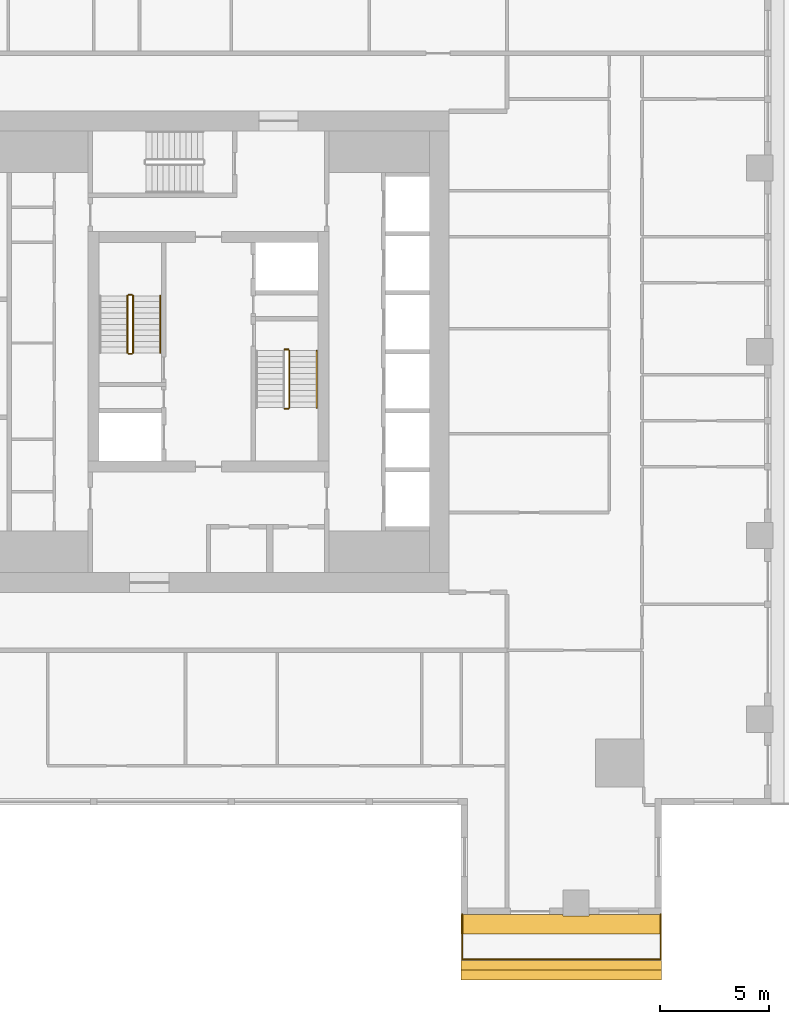
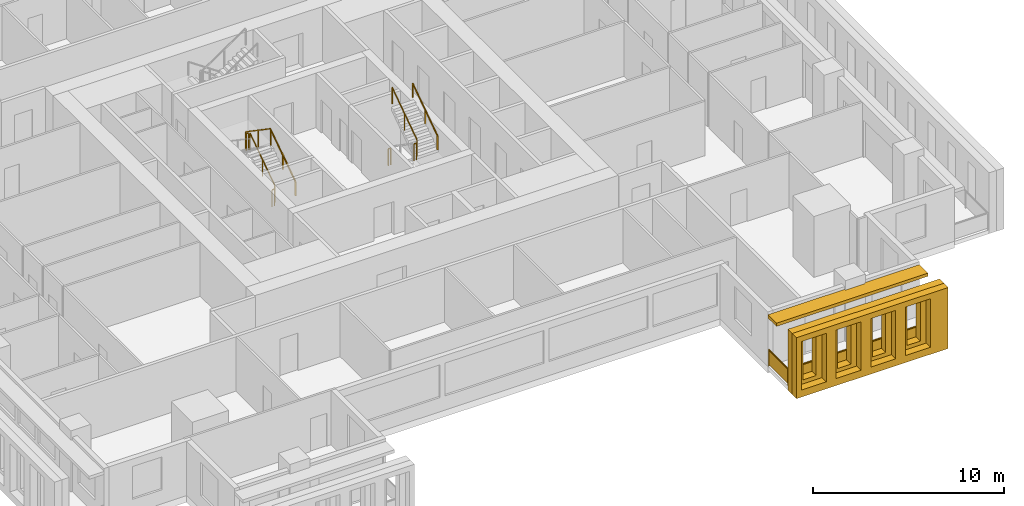
# One storey, part 11 of 14: 10 railings, 3 shading devices.
"""IFC4 building model written with IfcOpenShell, lengths in metres."""

from ifc_helpers import new_model, si_unit, direction, frame, origin, origin_2d, place, context, subcontext, project, spatial, polyline, rectangle, outline, extrude, material, layer, layer_set, type_object, element, save


model = new_model("IFC4")

# Units and contexts
model_context = context("Model", 3, precision=1e-05, world=origin(), true_north=direction((0.0, 1.0)))
body_context = subcontext(model_context, "Body", "Model", "MODEL_VIEW")
ifc_project = project(units=[si_unit("LENGTHUNIT", "METRE"), si_unit("AREAUNIT", "SQUARE_METRE"), si_unit("VOLUMEUNIT", "CUBIC_METRE"), si_unit("PLANEANGLEUNIT", "RADIAN"), si_unit("MASSUNIT", "GRAM", prefix="KILO")], contexts=[model_context])

# Site, building, storey
site_placement = place(None, origin())
site = spatial("IfcSite", under=ifc_project, at=site_placement, CompositionType="ELEMENT")
building_placement = place(site_placement, origin())
building = spatial("IfcBuilding", under=site, at=building_placement, Name="Khepri Terraces", CompositionType="ELEMENT")
storey_placement = place(building_placement, frame((0.0, 0.0, 275.699951171875)))
storey = spatial("IfcBuildingStorey", under=building, at=storey_placement, Name="L66", CompositionType="ELEMENT", Elevation=275.699951171875)

# Railings
ifc_material_1 = material(Name="Stainless steel grade 316", Category="steel")
railing_type_1 = type_object("IfcRailingType", Name="GRD-BAL-1100", PredefinedType="GUARDRAIL", material=ifc_material_1)
railing_1_placement = place(storey_placement, frame((11.60009765625, -25.719970703125, 0.0)))
element("IfcRailing", 1, at=railing_1_placement, inside=storey, type_object=railing_type_1, Name="Balcony guard L66 S", PredefinedType="GUARDRAIL", context=body_context, shape_type="SweptSolid", body=[
    extrude(rectangle(XDim=0.050048828125, YDim=0.06005859375, at=origin_2d()), frame((0.0, 0.0, 1.070068359375), z_axis=(0.0, -1.0, 0.0), x_axis=(1.0, 0.0, 0.0)), (0.0, 0.0, 1.0), 2.050048828125),
    extrude(rectangle(XDim=2.0, YDim=0.011962890625, at=origin_2d()), frame((0.0, -1.02490234375, 0.10009765625), z_axis=(0.0, 0.0, 1.0), x_axis=(0.0, -1.0, 0.0)), (0.0, 0.0, 1.0), 0.93994140625),
    extrude(rectangle(XDim=0.050048828125, YDim=0.06005859375, at=origin_2d()), frame((0.0, -2.050048828125, 1.070068359375), z_axis=(1.0, 0.0, 0.0), x_axis=(0.0, 1.0, 0.0)), (0.0, 0.0, 1.0), 9.06982421875),
    extrude(rectangle(XDim=2.21728515625, YDim=0.011962890625, at=origin_2d()), frame((1.1337890625, -2.050048828125, 0.10009765625), z_axis=(0.0, 0.0, 1.0), x_axis=(1.0, 0.0, 0.0)), (0.0, 0.0, 1.0), 0.93994140625),
    extrude(rectangle(XDim=2.21728515625, YDim=0.011962890625, at=origin_2d()), frame((3.401123046875, -2.050048828125, 0.10009765625), z_axis=(0.0, 0.0, 1.0), x_axis=(1.0, 0.0, 0.0)), (0.0, 0.0, 1.0), 0.93994140625),
    extrude(rectangle(XDim=2.21728515625, YDim=0.011962890625, at=origin_2d()), frame((5.668701171875, -2.050048828125, 0.10009765625), z_axis=(0.0, 0.0, 1.0), x_axis=(1.0, 0.0, 0.0)), (0.0, 0.0, 1.0), 0.93994140625),
    extrude(rectangle(XDim=2.21728515625, YDim=0.011962890625, at=origin_2d()), frame((7.93603515625, -2.050048828125, 0.10009765625), z_axis=(0.0, 0.0, 1.0), x_axis=(1.0, 0.0, 0.0)), (0.0, 0.0, 1.0), 0.93994140625),
    extrude(rectangle(XDim=0.050048828125, YDim=0.06005859375, at=origin_2d()), frame((9.06982421875, -2.050048828125, 1.070068359375), z_axis=(0.0, 1.0, 0.0), x_axis=(-1.0, 0.0, 0.0)), (0.0, 0.0, 1.0), 2.050048828125),
    extrude(rectangle(XDim=2.0, YDim=0.011962890625, at=origin_2d()), frame((9.06982421875, -1.02490234375, 0.10009765625), z_axis=(0.0, 0.0, 1.0), x_axis=(0.0, 1.0, 0.0)), (0.0, 0.0, 1.0), 0.93994140625),
    extrude(rectangle(XDim=0.050048828125, YDim=0.050048828125, at=origin_2d()), origin(), (0.0, 0.0, 1.0), 1.0400390625),
    extrude(rectangle(XDim=0.050048828125, YDim=0.050048828125, at=origin_2d()), frame((0.0, -2.050048828125, 0.0)), (0.0, 0.0, 1.0), 1.0400390625),
    extrude(rectangle(XDim=0.050048828125, YDim=0.050048828125, at=origin_2d()), frame((2.267578125, -2.050048828125, 0.0)), (0.0, 0.0, 1.0), 1.0400390625),
    extrude(rectangle(XDim=0.050048828125, YDim=0.050048828125, at=origin_2d()), frame((4.534912109375, -2.050048828125, 0.0)), (0.0, 0.0, 1.0), 1.0400390625),
    extrude(rectangle(XDim=0.050048828125, YDim=0.050048828125, at=origin_2d()), frame((6.80224609375, -2.050048828125, 0.0)), (0.0, 0.0, 1.0), 1.0400390625),
    extrude(rectangle(XDim=0.050048828125, YDim=0.050048828125, at=origin_2d()), frame((9.06982421875, -2.050048828125, 0.0)), (0.0, 0.0, 1.0), 1.0400390625),
    extrude(rectangle(XDim=0.050048828125, YDim=0.050048828125, at=origin_2d()), frame((9.06982421875, 0.0, 0.0)), (0.0, 0.0, 1.0), 1.0400390625),
])
ifc_material_2 = material(Name="Stainless steel 316", Category="steel")
railing_type_2 = type_object("IfcRailingType", Name="RL-CORE-GUARD", PredefinedType="GUARDRAIL", material=ifc_material_2)
railing_2_placement = place(storey_placement, frame((-3.449951171875, -0.050048828125, 0.17724609375)))
element("IfcRailing", 2, at=railing_2_placement, inside=storey, type_object=railing_type_2, Name="L66 ST-1 stair guard 1", PredefinedType="GUARDRAIL", context=body_context, shape_type="SweptSolid", body=[
    extrude(rectangle(XDim=0.050048828125, YDim=0.06005859375, at=origin_2d()), frame((0.0, 0.0, 1.070068359375), z_axis=(0.0, 0.826240473404, 0.563317565952), x_axis=(-1.0, 0.0, 0.0)), (0.0, 0.0, 1.0), 3.14697265625),
    extrude(rectangle(XDim=0.050048828125, YDim=0.050048828125, at=origin_2d()), origin(), (0.0, 0.0, 1.0), 1.0400390625),
    extrude(rectangle(XDim=0.050048828125, YDim=0.050048828125, at=origin_2d()), frame((0.0, 1.300048828125, 0.88623046875)), (0.0, 0.0, 1.0), 1.0400390625),
    extrude(rectangle(XDim=0.050048828125, YDim=0.050048828125, at=origin_2d()), frame((0.0, 2.60009765625, 1.772705078125)), (0.0, 0.0, 1.0), 1.0400390625),
])
railing_3_placement = place(storey_placement, frame((-3.5, 2.60009765625, 1.949951171875)))
element("IfcRailing", 3, at=railing_3_placement, inside=storey, type_object=railing_type_2, Name="L66 ST-1 stair guard 2", PredefinedType="GUARDRAIL", context=body_context, shape_type="SweptSolid", body=[
    extrude(rectangle(XDim=0.050048828125, YDim=0.06005859375, at=origin_2d()), frame((0.0, 0.0, 1.070068359375), z_axis=(-1.0, 0.0, 0.0), x_axis=(0.0, -1.0, 0.0)), (0.0, 0.0, 1.0), 0.14990234375),
    extrude(rectangle(XDim=0.050048828125, YDim=0.050048828125, at=origin_2d()), origin(), (0.0, 0.0, 1.0), 1.0400390625),
    extrude(rectangle(XDim=0.050048828125, YDim=0.050048828125, at=origin_2d()), frame((-0.14990234375, 0.0, 0.0)), (0.0, 0.0, 1.0), 1.0400390625),
])
railing_4_placement = place(storey_placement, frame((-3.699951171875, 2.550048828125, 2.12744140625)))
element("IfcRailing", 4, at=railing_4_placement, inside=storey, type_object=railing_type_2, Name="L66 ST-1 stair guard 3", PredefinedType="GUARDRAIL", context=body_context, shape_type="SweptSolid", body=[
    extrude(rectangle(XDim=0.050048828125, YDim=0.06005859375, at=origin_2d()), frame((0.0, 0.0, 1.070068359375), z_axis=(0.0, -0.826240473404, 0.563317565952), x_axis=(1.0, 0.0, 0.0)), (0.0, 0.0, 1.0), 3.14697265625),
    extrude(rectangle(XDim=0.050048828125, YDim=0.050048828125, at=origin_2d()), origin(), (0.0, 0.0, 1.0), 1.0400390625),
    extrude(rectangle(XDim=0.050048828125, YDim=0.050048828125, at=origin_2d()), frame((0.0, -1.300048828125, 0.88623046875)), (0.0, 0.0, 1.0), 1.0400390625),
    extrude(rectangle(XDim=0.050048828125, YDim=0.050048828125, at=origin_2d()), frame((0.0, -2.60009765625, 1.772705078125)), (0.0, 0.0, 1.0), 1.0400390625),
])
railing_5_placement = place(storey_placement, frame((-3.5, -0.10009765625, 0.0)))
element("IfcRailing", 5, at=railing_5_placement, inside=storey, type_object=railing_type_2, Name="L66 ST-1 stair guard 4", PredefinedType="GUARDRAIL", context=body_context, shape_type="SweptSolid", body=[
    extrude(rectangle(XDim=0.050048828125, YDim=0.06005859375, at=origin_2d()), frame((0.0, 0.0, 1.070068359375), z_axis=(-1.0, 0.0, 0.0), x_axis=(0.0, -1.0, 0.0)), (0.0, 0.0, 1.0), 0.14990234375),
    extrude(rectangle(XDim=0.050048828125, YDim=0.050048828125, at=origin_2d()), origin(), (0.0, 0.0, 1.0), 1.0400390625),
    extrude(rectangle(XDim=0.050048828125, YDim=0.050048828125, at=origin_2d()), frame((-0.14990234375, 0.0, 0.0)), (0.0, 0.0, 1.0), 1.0400390625),
])
railing_6_placement = place(storey_placement, frame((3.5, -2.60009765625, 1.949951171875)))
element("IfcRailing", 6, at=railing_6_placement, inside=storey, type_object=railing_type_2, Name="L66 ST-2 stair guard 2", PredefinedType="GUARDRAIL", context=body_context, shape_type="SweptSolid", body=[
    extrude(rectangle(XDim=0.050048828125, YDim=0.06005859375, at=origin_2d()), frame((0.0, 0.0, 1.070068359375), z_axis=(1.0, 0.0, 0.0), x_axis=(0.0, 1.0, 0.0)), (0.0, 0.0, 1.0), 0.14990234375),
    extrude(rectangle(XDim=0.050048828125, YDim=0.050048828125, at=origin_2d()), origin(), (0.0, 0.0, 1.0), 1.0400390625),
    extrude(rectangle(XDim=0.050048828125, YDim=0.050048828125, at=origin_2d()), frame((0.14990234375, 0.0, 0.0)), (0.0, 0.0, 1.0), 1.0400390625),
])
railing_7_placement = place(storey_placement, frame((3.699951171875, -2.550048828125, 2.12744140625)))
element("IfcRailing", 7, at=railing_7_placement, inside=storey, type_object=railing_type_2, Name="L66 ST-2 stair guard 3", PredefinedType="GUARDRAIL", context=body_context, shape_type="SweptSolid", body=[
    extrude(rectangle(XDim=0.050048828125, YDim=0.06005859375, at=origin_2d()), frame((0.0, 0.0, 1.070068359375), z_axis=(0.0, 0.826240473404, 0.563317565952), x_axis=(-1.0, 0.0, 0.0)), (0.0, 0.0, 1.0), 3.14697265625),
    extrude(rectangle(XDim=0.050048828125, YDim=0.050048828125, at=origin_2d()), origin(), (0.0, 0.0, 1.0), 1.0400390625),
    extrude(rectangle(XDim=0.050048828125, YDim=0.050048828125, at=origin_2d()), frame((0.0, 1.300048828125, 0.88623046875)), (0.0, 0.0, 1.0), 1.0400390625),
    extrude(rectangle(XDim=0.050048828125, YDim=0.050048828125, at=origin_2d()), frame((0.0, 2.60009765625, 1.772705078125)), (0.0, 0.0, 1.0), 1.0400390625),
])
railing_8_placement = place(storey_placement, frame((3.5, 0.10009765625, 0.0)))
element("IfcRailing", 8, at=railing_8_placement, inside=storey, type_object=railing_type_2, Name="L66 ST-2 stair guard 4", PredefinedType="GUARDRAIL", context=body_context, shape_type="SweptSolid", body=[
    extrude(rectangle(XDim=0.050048828125, YDim=0.06005859375, at=origin_2d()), frame((0.0, 0.0, 1.070068359375), z_axis=(1.0, 0.0, 0.0), x_axis=(0.0, 1.0, 0.0)), (0.0, 0.0, 1.0), 0.14990234375),
    extrude(rectangle(XDim=0.050048828125, YDim=0.050048828125, at=origin_2d()), origin(), (0.0, 0.0, 1.0), 1.0400390625),
    extrude(rectangle(XDim=0.050048828125, YDim=0.050048828125, at=origin_2d()), frame((0.14990234375, 0.0, 0.0)), (0.0, 0.0, 1.0), 1.0400390625),
])
railing_type_3 = type_object("IfcRailingType", Name="RL-CORE-HANDRAIL", PredefinedType="HANDRAIL", material=ifc_material_2)
for number, where, name in (
    (9, (-2.199951171875, -0.050048828125, 0.17724609375), "L66 ST-1 stair handrail 1"),
    (10, (4.949951171875, -2.550048828125, 2.12744140625), "L66 ST-2 stair handrail 2"),
):
    element("IfcRailing", number, at=place(storey_placement, frame(where)), inside=storey, type_object=railing_type_3, Name=name, PredefinedType="HANDRAIL", context=body_context, shape_type="SweptSolid", body=[
        extrude(rectangle(XDim=0.050048828125, YDim=0.050048828125, at=origin_2d()), frame((0.0, 0.0, 0.875), z_axis=(0.0, 0.826240473404, 0.563317565952), x_axis=(-1.0, 0.0, 0.0)), (0.0, 0.0, 1.0), 3.14697265625),
        extrude(rectangle(XDim=0.050048828125, YDim=0.050048828125, at=origin_2d()), origin(), (0.0, 0.0, 1.0), 0.849853515625),
        extrude(rectangle(XDim=0.050048828125, YDim=0.050048828125, at=origin_2d()), frame((0.0, 1.300048828125, 0.88623046875)), (0.0, 0.0, 1.0), 0.849853515625),
        extrude(rectangle(XDim=0.050048828125, YDim=0.050048828125, at=origin_2d()), frame((0.0, 2.60009765625, 1.772705078125)), (0.0, 0.0, 1.0), 0.849853515625),
    ])

# Shading devices
ifc_material_3 = material(Name="Precast concrete C50/60 warm stone", Category="masonry")
shading_device_type_1 = type_object("IfcShadingDeviceType", Name="SCR-CELL-INNER-450", PredefinedType="USERDEFINED", material=ifc_material_3)
shading_device_1_placement = place(storey_placement, frame((11.550048828125, -27.820068359375, -0.25), z_axis=(0.0, -1.0, 0.0), x_axis=(1.0, 0.0, 0.0)))
element("IfcShadingDevice", 11, at=shading_device_1_placement, inside=storey, type_object=shading_device_type_1, Name="Cell screen L66 S in", ObjectType="SCREEN", PredefinedType="USERDEFINED", context=body_context, shape_type="SweptSolid", body=[
    extrude(outline(polyline([(0.0, 0.0), (9.169921875, 0.0), (9.169921875, 3.89990234375), (0.0, 3.89990234375), (0.0, 0.0)]), holes=[polyline([(0.6484375, 0.699951171875), (1.45166015625, 0.699951171875), (1.45166015625, 3.300048828125), (0.6484375, 3.300048828125), (0.6484375, 0.699951171875)]), polyline([(2.748291015625, 0.699951171875), (3.551513671875, 0.699951171875), (3.551513671875, 3.300048828125), (2.748291015625, 3.300048828125), (2.748291015625, 0.699951171875)]), polyline([(4.848388671875, 0.699951171875), (5.651611328125, 0.699951171875), (5.651611328125, 3.300048828125), (4.848388671875, 3.300048828125), (4.848388671875, 0.699951171875)]), polyline([(6.948486328125, 0.699951171875), (7.751708984375, 0.699951171875), (7.751708984375, 3.300048828125), (6.948486328125, 3.300048828125), (6.948486328125, 0.699951171875)])]), origin(), (0.0, 0.0, 1.0), 0.449951171875),
])
shading_device_type_2 = type_object("IfcShadingDeviceType", Name="SCR-CELL-OUTER-450", PredefinedType="USERDEFINED", material=ifc_material_3)
shading_device_2_placement = place(storey_placement, frame((11.550048828125, -28.27001953125, -0.25), z_axis=(0.0, -1.0, 0.0), x_axis=(1.0, 0.0, 0.0)))
element("IfcShadingDevice", 12, at=shading_device_2_placement, inside=storey, type_object=shading_device_type_2, Name="Cell screen L66 S out", ObjectType="SCREEN", PredefinedType="USERDEFINED", context=body_context, shape_type="SweptSolid", body=[
    extrude(outline(polyline([(0.0, 0.0), (9.169921875, 0.0), (9.169921875, 3.89990234375), (0.0, 3.89990234375), (0.0, 0.0)]), holes=[polyline([(0.29833984375, 0.449951171875), (1.801513671875, 0.449951171875), (1.801513671875, 3.550048828125), (0.29833984375, 3.550048828125), (0.29833984375, 0.449951171875)]), polyline([(2.3984375, 0.449951171875), (3.901611328125, 0.449951171875), (3.901611328125, 3.550048828125), (2.3984375, 3.550048828125), (2.3984375, 0.449951171875)]), polyline([(4.498291015625, 0.449951171875), (6.001708984375, 0.449951171875), (6.001708984375, 3.550048828125), (4.498291015625, 3.550048828125), (4.498291015625, 0.449951171875)]), polyline([(6.598388671875, 0.449951171875), (8.1015625, 0.449951171875), (8.1015625, 3.550048828125), (6.598388671875, 3.550048828125), (6.598388671875, 0.449951171875)])]), origin(), (0.0, 0.0, 1.0), 0.449951171875),
])
ifc_layer = layer(ifc_material_3, 0.199951171875, Name="Precast concrete C50/60 warm stone", Category="masonry")
ifc_layer_set = layer_set([ifc_layer], Name="Precast concrete C50/60 warm stone")
shading_device_type_3 = type_object("IfcShadingDeviceType", Name="SSH-BAND-STONE-200", PredefinedType="USERDEFINED", material=ifc_layer_set)
shading_device_3_placement = place(storey_placement, frame((0.0, 0.0, 3.10009765625)))
element("IfcShadingDevice", 13, at=shading_device_3_placement, inside=storey, type_object=shading_device_type_3, Name="Sunshade band L66 S", ObjectType="SUNSHADE", PredefinedType="USERDEFINED", context=body_context, shape_type="SweptSolid", body=[
    extrude(outline(polyline([(16.199951171875, -25.719970703125), (11.550048828125, -25.719970703125), (11.550048828125, -26.6201171875), (20.719970703125, -26.6201171875), (20.719970703125, -25.719970703125), (17.39990234375, -25.719970703125), (17.39990234375, -25.800048828125), (16.199951171875, -25.800048828125), (16.199951171875, -25.719970703125)])), origin(), (0.0, 0.0, 1.0), 0.199951171875),
])

save(model, "model.ifc")
